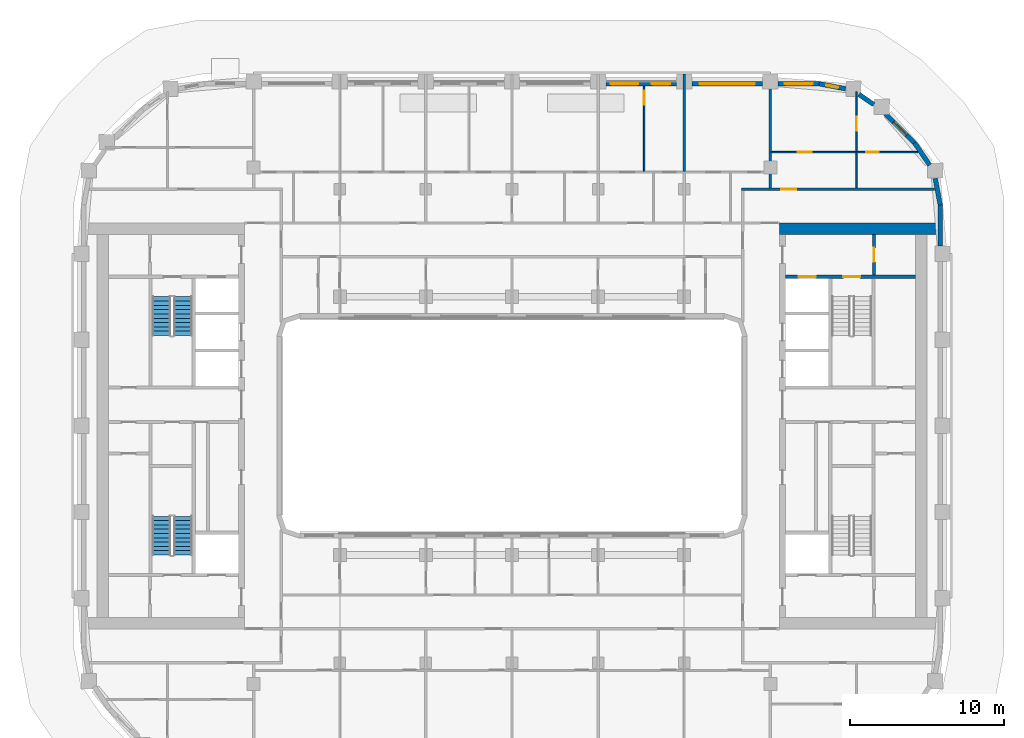
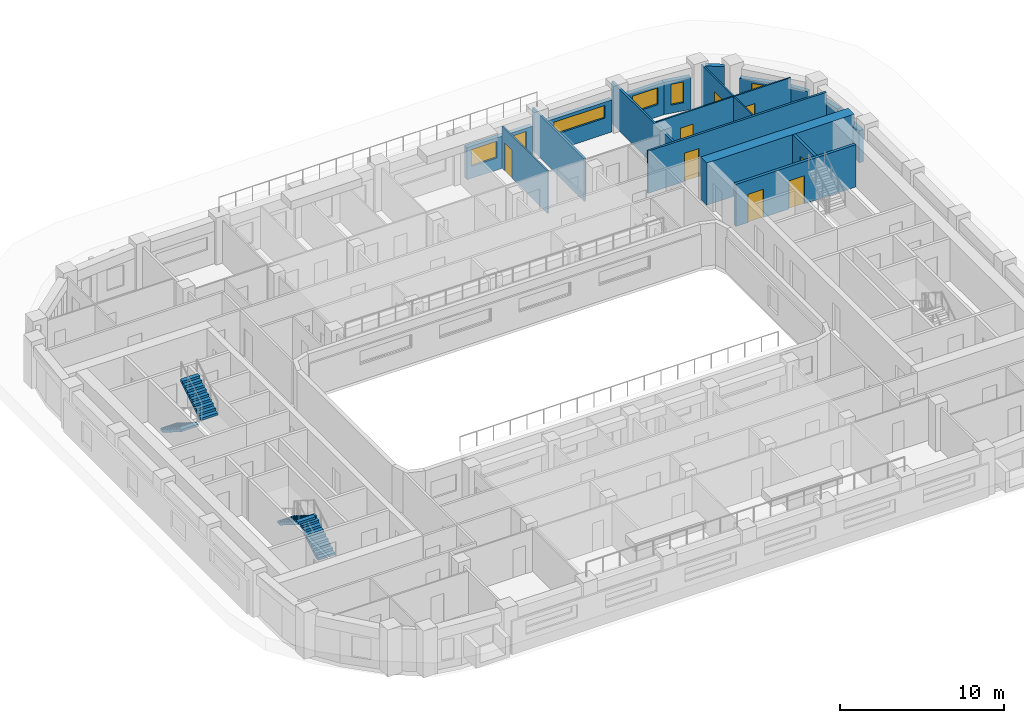
# One storey, part 9 of 17: 19 walls, 8 doors, 6 windows, 4 stair flights, 14 openings, 2 elements without a shape of their own.
"""IFC4 building model written with IfcOpenShell, lengths in metres."""

from ifc_helpers import new_model, si_unit, direction, frame, frame_2d, origin, place, context, subcontext, project, spatial, polyline, rectangle, outline, extrude, material, layer, layer_set, type_object, element, fill, aggregate, save


model = new_model("IFC4")

# Units and contexts
model_context = context("Model", 3, precision=1e-05, world=origin(), true_north=direction((0.0, 1.0)))
body_context = subcontext(model_context, "Body", "Model", "MODEL_VIEW")
ifc_project = project(units=[si_unit("LENGTHUNIT", "METRE"), si_unit("AREAUNIT", "SQUARE_METRE"), si_unit("VOLUMEUNIT", "CUBIC_METRE"), si_unit("PLANEANGLEUNIT", "RADIAN"), si_unit("MASSUNIT", "GRAM", prefix="KILO")], contexts=[model_context])

# Site, building, storey
site_placement = place(None, origin())
site = spatial("IfcSite", under=ifc_project, at=site_placement, CompositionType="ELEMENT")
building_placement = place(site_placement, origin())
building = spatial("IfcBuilding", under=site, at=building_placement, Name="Kiln Ring Residences", CompositionType="ELEMENT")
storey_placement = place(building_placement, frame((0.0, 0.0, 174.60009765625)))
storey = spatial("IfcBuildingStorey", under=building, at=storey_placement, Name="L45", CompositionType="ELEMENT", Elevation=174.60009765625)

# Wall, opening, door
ifc_material_1 = material(Name="Gypsum board on steel studs", Category="steel")
ifc_layer_1 = layer(ifc_material_1, 0.199951171875)
ifc_layer_set_1 = layer_set([ifc_layer_1], Name="CORE-PARTITION-200")
wall_type_1 = type_object("IfcWallType", Name="CORE-PARTITION-200", PredefinedType="PARTITIONING", material=ifc_layer_set_1)
wall_1_placement = place(storey_placement, frame((23.550048828125, 9.800048828125, 0.0), z_axis=(0.0, 0.0, 1.0), x_axis=(0.0, 1.0, 0.0)))
wall_1 = element("IfcWall", 1, at=wall_1_placement, inside=storey, type_object=wall_type_1, Name="Core partition east L45 4", PredefinedType="PARTITIONING", context=body_context, shape_type="SweptSolid", body=[
    extrude(rectangle(XDim=2.64990234375, YDim=0.199951171875, at=frame_2d((1.324951171875, 0.0))), origin(), (0.0, 0.0, 1.0), 3.14990234375),
])
opening_1_placement = place(wall_1_placement, frame((0.875, 0.0, 0.0)))
opening_1 = element("IfcOpeningElement", 2, at=opening_1_placement, cuts=wall_1, Name="Opening L45-CE09", PredefinedType="OPENING", context=body_context, shape_type="SweptSolid", body=[
    extrude(rectangle(XDim=0.89990234375, YDim=2.10009765625, at=frame_2d((0.449951171875, 1.050048828125))), frame((0.0, 0.10986328125, 0.0), z_axis=(0.0, -1.0, 0.0), x_axis=(1.0, 0.0, 0.0)), (0.0, 0.0, 1.0), 0.219970703125),
])
ifc_material_2 = material(Name="Steel door leaf", Category="steel")
door_type_1 = type_object("IfcDoorType", Name="CORE-DOOR-ROOM", OperationType="SINGLE_SWING_LEFT", PredefinedType="DOOR", material=ifc_material_2)
door_1_placement = place(opening_1_placement, origin())
door_1 = element("IfcDoor", 3, at=door_1_placement, inside=storey, type_object=door_type_1, Name="Fire riser room L45-CE09", OperationType="SINGLE_SWING_RIGHT", OverallHeight=2.10009765625, OverallWidth=0.89990234375, PredefinedType="DOOR", context=body_context, shape_type="SweptSolid", body=[
    extrude(rectangle(XDim=0.89990234375, YDim=2.10009765625, at=frame_2d((0.449951171875, 1.050048828125))), frame((0.0, 0.02490234375, 0.0), z_axis=(0.0, -1.0, 0.0), x_axis=(1.0, 0.0, 0.0)), (0.0, 0.0, 1.0), 0.050048828125),
])
fill(opening_1, door_1)

# Wall, openings, doors
ifc_material_3 = material(Name="Concrete C40/50", Category="concrete")
ifc_layer_2 = layer(ifc_material_3, 0.199951171875)
ifc_layer_set_2 = layer_set([ifc_layer_2], Name="CORE-WALL-RC200")
wall_type_2 = type_object("IfcWallType", Name="CORE-WALL-RC200", PredefinedType="SHEAR", material=ifc_layer_set_2)
wall_2_placement = place(storey_placement, frame((17.800048828125, 9.699951171875, 0.0), z_axis=(0.0, 0.0, 1.0), x_axis=(1.0, 0.0, 0.0)))
wall_2 = element("IfcWall", 4, at=wall_2_placement, inside=storey, type_object=wall_type_2, Name="Core wall east L45 9", PredefinedType="SHEAR", context=body_context, shape_type="SweptSolid", body=[
    extrude(rectangle(XDim=8.449951171875, YDim=0.199951171875, at=frame_2d((4.22509765625, 0.0))), origin(), (0.0, 0.0, 1.0), 3.14990234375),
])
opening_2_placement = place(wall_2_placement, frame((0.85009765625, 0.0, 0.0)))
opening_2 = element("IfcOpeningElement", 5, at=opening_2_placement, cuts=wall_2, Name="Opening L45-CE06", PredefinedType="OPENING", context=body_context, shape_type="SweptSolid", body=[
    extrude(rectangle(XDim=1.10009765625, YDim=2.10009765625, at=frame_2d((0.550048828125, 1.050048828125))), frame((0.0, 0.10986328125, 0.0), z_axis=(0.0, -1.0, 0.0), x_axis=(1.0, 0.0, 0.0)), (0.0, 0.0, 1.0), 0.219970703125),
])
opening_3_placement = place(wall_2_placement, frame((3.75, 0.0, 0.0)))
opening_3 = element("IfcOpeningElement", 6, at=opening_3_placement, cuts=wall_2, Name="Opening L45-CE11", PredefinedType="OPENING", context=body_context, shape_type="SweptSolid", body=[
    extrude(rectangle(XDim=1.10009765625, YDim=2.10009765625, at=frame_2d((0.550048828125, 1.050048828125))), frame((0.0, 0.10986328125, 0.0), z_axis=(0.0, -1.0, 0.0), x_axis=(1.0, 0.0, 0.0)), (0.0, 0.0, 1.0), 0.219970703125),
])
ifc_material_4 = material(Name="Steel door leaf", Category="steel")
door_type_2 = type_object("IfcDoorType", Name="CORE-DOOR-LD", OperationType="DOUBLE_DOOR_SLIDING", PredefinedType="DOOR", material=ifc_material_4)
door_2_placement = place(opening_2_placement, origin())
door_2 = element("IfcDoor", 7, at=door_2_placement, inside=storey, type_object=door_type_2, Name="LD E-FF L45-CE06", OperationType="DOUBLE_DOOR_SLIDING", OverallHeight=2.10009765625, OverallWidth=1.10009765625, PredefinedType="DOOR", context=body_context, shape_type="SweptSolid", body=[
    extrude(rectangle(XDim=1.10009765625, YDim=2.10009765625, at=frame_2d((0.550048828125, 1.050048828125))), frame((0.0, 0.02490234375, 0.0), z_axis=(0.0, -1.0, 0.0), x_axis=(1.0, 0.0, 0.0)), (0.0, 0.0, 1.0), 0.050048828125),
])
fill(opening_2, door_2)
ifc_material_5 = material(Name="Steel door leaf", Category="steel")
door_type_3 = type_object("IfcDoorType", Name="CORE-DOOR-STAIR", OperationType="SINGLE_SWING_LEFT", PredefinedType="DOOR", material=ifc_material_5)
door_3_placement = place(opening_3_placement, origin())
door_3 = element("IfcDoor", 8, at=door_3_placement, inside=storey, type_object=door_type_3, Name="Stair E-STN L45-CE11", OperationType="SINGLE_SWING_RIGHT", OverallHeight=2.10009765625, OverallWidth=1.10009765625, PredefinedType="DOOR", context=body_context, shape_type="SweptSolid", body=[
    extrude(rectangle(XDim=1.10009765625, YDim=2.10009765625, at=frame_2d((0.550048828125, 1.050048828125))), frame((0.0, 0.02490234375, 0.0), z_axis=(0.0, -1.0, 0.0), x_axis=(1.0, 0.0, 0.0)), (0.0, 0.0, 1.0), 0.050048828125),
])
fill(opening_3, door_3)

# Walls
ifc_material_6 = material(Name="Concrete C60/75", Category="concrete")
ifc_layer_3 = layer(ifc_material_6, 0.75)
ifc_layer_set_3 = layer_set([ifc_layer_3], Name="CORE-WALL-RC750")
wall_type_3 = type_object("IfcWallType", Name="CORE-WALL-RC750", PredefinedType="SHEAR", material=ifc_layer_set_3)
wall_3_placement = place(storey_placement, frame((17.39990234375, 12.824951171875, 0.0), z_axis=(0.0, 0.0, 1.0), x_axis=(1.0, 0.0, 0.0)))
element("IfcWall", 9, at=wall_3_placement, inside=storey, type_object=wall_type_3, Name="Core wall east L45 4", PredefinedType="SHEAR", context=body_context, shape_type="SweptSolid", body=[
    extrude(rectangle(XDim=10.400146484375, YDim=0.75, at=frame_2d((5.2001953125, 0.0))), origin(), (0.0, 0.0, 1.0), 3.14990234375),
])
ifc_material_7 = material(Name="Brick masonry, dark clay brick", Category="masonry")
ifc_layer_4 = layer(ifc_material_7, 0.300048828125)
ifc_layer_set_4 = layer_set([ifc_layer_4], Name="EW-300 BRICK WALL")
wall_type_4 = type_object("IfcWallType", Name="EW-300 BRICK WALL", PredefinedType="SOLIDWALL", material=ifc_layer_set_4)
wall_4_placement = place(storey_placement, frame((27.85009765625, 11.699951171875, 0.0), z_axis=(0.0, 0.0, 1.0), x_axis=(0.0, 1.0, 0.0)))
element("IfcWall", 10, at=wall_4_placement, inside=storey, type_object=wall_type_4, Name="Facade wall L45 22", PredefinedType="SOLIDWALL", context=body_context, shape_type="SweptSolid", body=[
    extrude(rectangle(XDim=2.699951171875, YDim=0.300048828125, at=frame_2d((1.35009765625, 0.0))), origin(), (0.0, 0.0, 1.0), 2.39990234375),
])
for number, where, z_axis, x_axis, name in (
    (11, (27.8525390625, 14.371826171875, 0.0), (0.0, 0.0, 1.0), (-0.187259034321, 0.982310569049, 0.0), "Facade wall L45 23"),
    (12, (27.166015625, 16.96044921875, 0.0), (0.0, 0.0, 1.0), (-0.562089443061, 0.82707645233, 0.0), "Facade wall L45 24"),
):
    element("IfcWall", number, at=place(storey_placement, frame(where, z_axis=z_axis, x_axis=x_axis)), inside=storey, type_object=wall_type_4, Name=name, PredefinedType="SOLIDWALL", context=body_context, shape_type="SweptSolid", body=[
        extrude(rectangle(XDim=1.756103515625, YDim=0.300048828125, at=frame_2d((0.8779296875, 0.0))), origin(), (0.0, 0.0, 1.0), 2.39990234375),
    ])

# Wall, opening, window
wall_5_placement = place(storey_placement, frame((26.19677734375, 18.390869140625, 0.0), z_axis=(0.0, 0.0, 1.0), x_axis=(-0.707061571201, 0.707151988282, 0.0)))
wall_5 = element("IfcWall", 13, at=wall_5_placement, inside=storey, type_object=wall_type_4, Name="Facade wall L45 25", PredefinedType="SOLIDWALL", context=body_context, shape_type="SweptSolid", body=[
    extrude(rectangle(XDim=2.7001953125, YDim=0.300048828125, at=frame_2d((1.35009765625, 0.0))), origin(), (0.0, 0.0, 1.0), 2.39990234375),
])
opening_4_placement = place(wall_5_placement, frame((0.75, 0.0, 0.60009765625)))
opening_4 = element("IfcOpeningElement", 14, at=opening_4_placement, cuts=wall_5, Name="Opening W1", PredefinedType="OPENING", context=body_context, shape_type="SweptSolid", body=[
    extrude(rectangle(XDim=1.199951171875, YDim=1.550048828125, at=frame_2d((0.60009765625, 0.77490234375))), frame((0.0, 0.159912109375, 0.0), z_axis=(0.0, -1.0, 0.0), x_axis=(1.0, 0.0, 0.0)), (0.0, 0.0, 1.0), 0.320068359375),
])
ifc_material_8 = material(Name="Aluminium frame with double glazing", Category="aluminium")
window_type_1 = type_object("IfcWindowType", Name="WINDOW 1200 x 1550", PartitioningType="SINGLE_PANEL", PredefinedType="WINDOW", material=ifc_material_8)
window_1_placement = place(opening_4_placement, origin())
window_1 = element("IfcWindow", 15, at=window_1_placement, inside=storey, type_object=window_type_1, Name="Window L45 14", OverallHeight=1.550048828125, OverallWidth=1.199951171875, PartitioningType="SINGLE_PANEL", PredefinedType="WINDOW", context=body_context, shape_type="SweptSolid", body=[
    extrude(rectangle(XDim=1.199951171875, YDim=1.550048828125, at=frame_2d((0.60009765625, 0.77490234375))), frame((0.0, 0.030029296875, 0.0), z_axis=(0.0, -1.0, 0.0), x_axis=(1.0, 0.0, 0.0)), (0.0, 0.0, 1.0), 0.06005859375),
])
fill(opening_4, window_1)

# Wall
wall_6_placement = place(storey_placement, frame((23.533935546875, 20.904296875, 0.0), z_axis=(0.0, 0.0, 1.0), x_axis=(-0.827103906596, 0.56204904385, 0.0)))
element("IfcWall", 16, at=wall_6_placement, inside=storey, type_object=wall_type_4, Name="Facade wall L45 26", PredefinedType="SOLIDWALL", context=body_context, shape_type="SweptSolid", body=[
    extrude(rectangle(XDim=1.17724609375, YDim=0.300048828125, at=frame_2d((0.588623046875, 0.0))), origin(), (0.0, 0.0, 1.0), 3.14990234375),
])

# Wall, opening, window
wall_7_placement = place(storey_placement, frame((21.697021484375, 21.923583984375, 0.0), z_axis=(0.0, 0.0, 1.0), x_axis=(-0.982284988433, 0.187393173565, 0.0)))
wall_7 = element("IfcWall", 17, at=wall_7_placement, inside=storey, type_object=wall_type_4, Name="Facade wall L45 27", PredefinedType="SOLIDWALL", context=body_context, shape_type="SweptSolid", body=[
    extrude(rectangle(XDim=1.756103515625, YDim=0.300048828125, at=frame_2d((0.8779296875, 0.0))), origin(), (0.0, 0.0, 1.0), 2.39990234375),
])
opening_5_placement = place(wall_7_placement, frame((0.47802734375, 0.0, 0.60009765625)))
opening_5 = element("IfcOpeningElement", 18, at=opening_5_placement, cuts=wall_7, Name="Opening W5", PredefinedType="OPENING", context=body_context, shape_type="SweptSolid", body=[
    extrude(rectangle(XDim=0.800048828125, YDim=1.550048828125, at=frame_2d((0.39990234375, 0.77490234375))), frame((0.0, 0.159912109375, 0.0), z_axis=(0.0, -1.0, 0.0), x_axis=(1.0, 0.0, 0.0)), (0.0, 0.0, 1.0), 0.320068359375),
])
ifc_material_9 = material(Name="Aluminium frame with double glazing", Category="aluminium")
window_type_2 = type_object("IfcWindowType", Name="WINDOW 800 x 1550", PartitioningType="SINGLE_PANEL", PredefinedType="WINDOW", material=ifc_material_9)
window_2_placement = place(opening_5_placement, origin())
window_2 = element("IfcWindow", 19, at=window_2_placement, inside=storey, type_object=window_type_2, Name="Window L45 15", OverallHeight=1.550048828125, OverallWidth=0.800048828125, PartitioningType="SINGLE_PANEL", PredefinedType="WINDOW", context=body_context, shape_type="SweptSolid", body=[
    extrude(rectangle(XDim=0.800048828125, YDim=1.550048828125, at=frame_2d((0.39990234375, 0.77490234375))), frame((0.0, 0.030029296875, 0.0), z_axis=(0.0, -1.0, 0.0), x_axis=(1.0, 0.0, 0.0)), (0.0, 0.0, 1.0), 0.06005859375),
])
fill(opening_5, window_2)

wall_8_placement = place(storey_placement, frame((20.0, 22.25, 0.0), z_axis=(0.0, 0.0, 1.0), x_axis=(-1.0, 0.0, 0.0)))
wall_8 = element("IfcWall", 20, at=wall_8_placement, inside=storey, type_object=wall_type_4, Name="Facade wall L45 28", PredefinedType="SOLIDWALL", context=body_context, shape_type="SweptSolid", body=[
    extrude(rectangle(XDim=2.699951171875, YDim=0.300048828125, at=frame_2d((1.35009765625, 0.0))), origin(), (0.0, 0.0, 1.0), 2.39990234375),
])
opening_6_placement = place(wall_8_placement, frame((0.449951171875, 0.0, 0.89990234375)))
opening_6 = element("IfcOpeningElement", 21, at=opening_6_placement, cuts=wall_8, Name="Opening W2", PredefinedType="OPENING", context=body_context, shape_type="SweptSolid", body=[
    extrude(rectangle(XDim=1.800048828125, YDim=1.25, at=frame_2d((0.89990234375, 0.625))), frame((0.0, 0.159912109375, 0.0), z_axis=(0.0, -1.0, 0.0), x_axis=(1.0, 0.0, 0.0)), (0.0, 0.0, 1.0), 0.320068359375),
])
ifc_material_10 = material(Name="Aluminium frame with double glazing", Category="aluminium")
window_type_3 = type_object("IfcWindowType", Name="WINDOW 1800 x 1250", PartitioningType="SINGLE_PANEL", PredefinedType="WINDOW", material=ifc_material_10)
window_3_placement = place(opening_6_placement, origin())
window_3 = element("IfcWindow", 22, at=window_3_placement, inside=storey, type_object=window_type_3, Name="Window L45 16", OverallHeight=1.25, OverallWidth=1.800048828125, PartitioningType="SINGLE_PANEL", PredefinedType="WINDOW", context=body_context, shape_type="SweptSolid", body=[
    extrude(rectangle(XDim=1.800048828125, YDim=1.25, at=frame_2d((0.89990234375, 0.625))), frame((0.0, 0.030029296875, 0.0), z_axis=(0.0, -1.0, 0.0), x_axis=(1.0, 0.0, 0.0)), (0.0, 0.0, 1.0), 0.06005859375),
])
fill(opening_6, window_3)

wall_9_placement = place(storey_placement, frame((16.300048828125, 22.25, 0.0), z_axis=(0.0, 0.0, 1.0), x_axis=(-1.0, 0.0, 0.0)))
wall_9 = element("IfcWall", 23, at=wall_9_placement, inside=storey, type_object=wall_type_4, Name="Facade wall L45 29", PredefinedType="SOLIDWALL", context=body_context, shape_type="SweptSolid", body=[
    extrude(rectangle(XDim=4.60009765625, YDim=0.300048828125, at=frame_2d((2.300048828125, 0.0))), origin(), (0.0, 0.0, 1.0), 2.39990234375),
])
opening_7_placement = place(wall_9_placement, frame((0.5, 0.0, 1.199951171875)))
opening_7 = element("IfcOpeningElement", 24, at=opening_7_placement, cuts=wall_9, Name="Opening W4", PredefinedType="OPENING", context=body_context, shape_type="SweptSolid", body=[
    extrude(rectangle(XDim=3.60009765625, YDim=0.949951171875, at=frame_2d((1.800048828125, 0.47509765625))), frame((0.0, 0.159912109375, 0.0), z_axis=(0.0, -1.0, 0.0), x_axis=(1.0, 0.0, 0.0)), (0.0, 0.0, 1.0), 0.320068359375),
])
ifc_material_11 = material(Name="Aluminium frame with double glazing", Category="aluminium")
window_type_4 = type_object("IfcWindowType", Name="WINDOW 3600 x 950", PartitioningType="SINGLE_PANEL", PredefinedType="WINDOW", material=ifc_material_11)
window_4_placement = place(opening_7_placement, origin())
window_4 = element("IfcWindow", 25, at=window_4_placement, inside=storey, type_object=window_type_4, Name="Window L45 17", OverallHeight=0.949951171875, OverallWidth=3.60009765625, PartitioningType="SINGLE_PANEL", PredefinedType="WINDOW", context=body_context, shape_type="SweptSolid", body=[
    extrude(rectangle(XDim=3.60009765625, YDim=0.949951171875, at=frame_2d((1.800048828125, 0.47509765625))), frame((0.0, 0.030029296875, 0.0), z_axis=(0.0, -1.0, 0.0), x_axis=(1.0, 0.0, 0.0)), (0.0, 0.0, 1.0), 0.06005859375),
])
fill(opening_7, window_4)

# Wall, openings, windows
wall_10_placement = place(storey_placement, frame((10.699951171875, 22.25, 0.0), z_axis=(0.0, 0.0, 1.0), x_axis=(-1.0, 0.0, 0.0)))
wall_10 = element("IfcWall", 26, at=wall_10_placement, inside=storey, type_object=wall_type_4, Name="Facade wall L45 30", PredefinedType="SOLIDWALL", context=body_context, shape_type="SweptSolid", body=[
    extrude(rectangle(XDim=4.599853515625, YDim=0.300048828125, at=frame_2d((2.2998046875, 0.0))), origin(), (0.0, 0.0, 1.0), 2.39990234375),
])
opening_8_placement = place(wall_10_placement, frame((0.41259765625, 0.0, 0.60009765625)))
opening_8 = element("IfcOpeningElement", 27, at=opening_8_placement, cuts=wall_10, Name="Opening W1", PredefinedType="OPENING", context=body_context, shape_type="SweptSolid", body=[
    extrude(rectangle(XDim=1.199951171875, YDim=1.550048828125, at=frame_2d((0.60009765625, 0.77490234375))), frame((0.0, 0.159912109375, 0.0), z_axis=(0.0, -1.0, 0.0), x_axis=(1.0, 0.0, 0.0)), (0.0, 0.0, 1.0), 0.320068359375),
])
opening_9_placement = place(wall_10_placement, frame((2.487548828125, 0.0, 0.89990234375)))
opening_9 = element("IfcOpeningElement", 28, at=opening_9_placement, cuts=wall_10, Name="Opening W2", PredefinedType="OPENING", context=body_context, shape_type="SweptSolid", body=[
    extrude(rectangle(XDim=1.800048828125, YDim=1.25, at=frame_2d((0.89990234375, 0.625))), frame((0.0, 0.159912109375, 0.0), z_axis=(0.0, -1.0, 0.0), x_axis=(1.0, 0.0, 0.0)), (0.0, 0.0, 1.0), 0.320068359375),
])
window_5_placement = place(opening_8_placement, origin())
window_5 = element("IfcWindow", 29, at=window_5_placement, inside=storey, type_object=window_type_1, Name="Window L45 18", OverallHeight=1.550048828125, OverallWidth=1.199951171875, PartitioningType="SINGLE_PANEL", PredefinedType="WINDOW", context=body_context, shape_type="SweptSolid", body=[
    extrude(rectangle(XDim=1.199951171875, YDim=1.550048828125, at=frame_2d((0.60009765625, 0.77490234375))), frame((0.0, 0.030029296875, 0.0), z_axis=(0.0, -1.0, 0.0), x_axis=(1.0, 0.0, 0.0)), (0.0, 0.0, 1.0), 0.06005859375),
])
fill(opening_8, window_5)
window_6_placement = place(opening_9_placement, origin())
window_6 = element("IfcWindow", 30, at=window_6_placement, inside=storey, type_object=window_type_3, Name="Window L45 19", OverallHeight=1.25, OverallWidth=1.800048828125, PartitioningType="SINGLE_PANEL", PredefinedType="WINDOW", context=body_context, shape_type="SweptSolid", body=[
    extrude(rectangle(XDim=1.800048828125, YDim=1.25, at=frame_2d((0.89990234375, 0.625))), frame((0.0, 0.030029296875, 0.0), z_axis=(0.0, -1.0, 0.0), x_axis=(1.0, 0.0, 0.0)), (0.0, 0.0, 1.0), 0.06005859375),
])
fill(opening_9, window_6)

# Wall, openings, doors
ifc_material_12 = material(Name="Gypsum board on steel studs", Category="steel")
ifc_layer_5 = layer(ifc_material_12, 0.10009765625)
ifc_layer_set_5 = layer_set([ifc_layer_5], Name="PARTITION-100")
wall_type_5 = type_object("IfcWallType", Name="PARTITION-100", PredefinedType="PARTITIONING", material=ifc_layer_set_5)
wall_11_placement = place(storey_placement, frame((16.875, 17.800048828125, 0.0), z_axis=(0.0, 0.0, 1.0), x_axis=(1.0, 0.0, 0.0)))
wall_11 = element("IfcWall", 31, at=wall_11_placement, inside=storey, type_object=wall_type_5, Name="Partition 012", PredefinedType="PARTITIONING", context=body_context, shape_type="SweptSolid", body=[
    extrude(rectangle(XDim=9.51904296875, YDim=0.10009765625, at=frame_2d((4.759521484375, 0.0))), origin(), (0.0, 0.0, 1.0), 3.14990234375),
])
opening_10_placement = place(wall_11_placement, frame((6.175048828125, 0.0, 0.0)))
opening_10 = element("IfcOpeningElement", 32, at=opening_10_placement, cuts=wall_11, Name="Opening L45-D037", PredefinedType="OPENING", context=body_context, shape_type="SweptSolid", body=[
    extrude(rectangle(XDim=0.800048828125, YDim=2.10009765625, at=frame_2d((0.39990234375, 1.050048828125))), frame((0.0, 0.06005859375, 0.0), z_axis=(0.0, -1.0, 0.0), x_axis=(1.0, 0.0, 0.0)), (0.0, 0.0, 1.0), 0.1201171875),
])
opening_11_placement = place(wall_11_placement, frame((1.72509765625, 0.0, 0.0)))
opening_11 = element("IfcOpeningElement", 33, at=opening_11_placement, cuts=wall_11, Name="Opening L45-D038", PredefinedType="OPENING", context=body_context, shape_type="SweptSolid", body=[
    extrude(rectangle(XDim=0.89990234375, YDim=2.10009765625, at=frame_2d((0.449951171875, 1.050048828125))), frame((0.0, 0.06005859375, 0.0), z_axis=(0.0, -1.0, 0.0), x_axis=(1.0, 0.0, 0.0)), (0.0, 0.0, 1.0), 0.1201171875),
])
ifc_material_13 = material(Name="Timber door leaf", Category="wood")
door_type_4 = type_object("IfcDoorType", Name="FLAT-DOOR-800-PL", OperationType="SINGLE_SWING_LEFT", PredefinedType="DOOR", material=ifc_material_13)
door_4_placement = place(opening_10_placement, origin())
door_4 = element("IfcDoor", 34, at=door_4_placement, inside=storey, type_object=door_type_4, Name="Door L45-D037", OperationType="SINGLE_SWING_LEFT", OverallHeight=2.10009765625, OverallWidth=0.800048828125, PredefinedType="DOOR", context=body_context, shape_type="SweptSolid", body=[
    extrude(rectangle(XDim=0.800048828125, YDim=2.10009765625, at=frame_2d((0.39990234375, 1.050048828125))), frame((0.0, 0.02490234375, 0.0), z_axis=(0.0, -1.0, 0.0), x_axis=(1.0, 0.0, 0.0)), (0.0, 0.0, 1.0), 0.050048828125),
])
fill(opening_10, door_4)
ifc_material_14 = material(Name="Timber door leaf", Category="wood")
door_type_5 = type_object("IfcDoorType", Name="FLAT-DOOR-900-PL", OperationType="SINGLE_SWING_LEFT", PredefinedType="DOOR", material=ifc_material_14)
door_5_placement = place(opening_11_placement, origin())
door_5 = element("IfcDoor", 35, at=door_5_placement, inside=storey, type_object=door_type_5, Name="Door L45-D038", OperationType="SINGLE_SWING_RIGHT", OverallHeight=2.10009765625, OverallWidth=0.89990234375, PredefinedType="DOOR", context=body_context, shape_type="SweptSolid", body=[
    extrude(rectangle(XDim=0.89990234375, YDim=2.10009765625, at=frame_2d((0.449951171875, 1.050048828125))), frame((0.0, 0.02490234375, 0.0), z_axis=(0.0, -1.0, 0.0), x_axis=(1.0, 0.0, 0.0)), (0.0, 0.0, 1.0), 0.050048828125),
])
fill(opening_11, door_5)

# Wall, opening, door
wall_12_placement = place(storey_placement, frame((8.60009765625, 16.550048828125, 0.0), z_axis=(0.0, 0.0, 1.0), x_axis=(0.0, 1.0, 0.0)))
wall_12 = element("IfcWall", 36, at=wall_12_placement, inside=storey, type_object=wall_type_5, Name="Partition 055", PredefinedType="PARTITIONING", context=body_context, shape_type="SweptSolid", body=[
    extrude(rectangle(XDim=5.530029296875, YDim=0.10009765625, at=frame_2d((2.76513671875, 0.0))), origin(), (0.0, 0.0, 1.0), 3.14990234375),
])
opening_12_placement = place(wall_12_placement, frame((4.35009765625, 0.0, 0.0)))
opening_12 = element("IfcOpeningElement", 37, at=opening_12_placement, cuts=wall_12, Name="Opening L45-D032", PredefinedType="OPENING", context=body_context, shape_type="SweptSolid", body=[
    extrude(rectangle(XDim=0.89990234375, YDim=2.10009765625, at=frame_2d((0.449951171875, 1.050048828125))), frame((0.0, 0.06005859375, 0.0), z_axis=(0.0, -1.0, 0.0), x_axis=(1.0, 0.0, 0.0)), (0.0, 0.0, 1.0), 0.1201171875),
])
door_6_placement = place(opening_12_placement, origin())
door_6 = element("IfcDoor", 38, at=door_6_placement, inside=storey, type_object=door_type_5, Name="Door L45-D032", OperationType="SINGLE_SWING_RIGHT", OverallHeight=2.10009765625, OverallWidth=0.89990234375, PredefinedType="DOOR", context=body_context, shape_type="SweptSolid", body=[
    extrude(rectangle(XDim=0.89990234375, YDim=2.10009765625, at=frame_2d((0.449951171875, 1.050048828125))), frame((0.0, 0.02490234375, 0.0), z_axis=(0.0, -1.0, 0.0), x_axis=(1.0, 0.0, 0.0)), (0.0, 0.0, 1.0), 0.050048828125),
])
fill(opening_12, door_6)

# Wall
wall_13_placement = place(storey_placement, frame((22.39990234375, 15.47509765625, 0.0), z_axis=(0.0, 0.0, 1.0), x_axis=(0.0, 1.0, 0.0)))
element("IfcWall", 39, at=wall_13_placement, inside=storey, type_object=wall_type_5, Name="Partition 073", PredefinedType="PARTITIONING", context=body_context, shape_type="SweptSolid", body=[
    extrude(rectangle(XDim=2.27490234375, YDim=0.10009765625, at=frame_2d((1.137451171875, 0.0))), origin(), (0.0, 0.0, 1.0), 3.14990234375),
])

# Wall, opening, door
wall_14_placement = place(storey_placement, frame((22.39990234375, 17.85009765625, 0.0), z_axis=(0.0, 0.0, 1.0), x_axis=(0.0, 1.0, 0.0)))
wall_14 = element("IfcWall", 40, at=wall_14_placement, inside=storey, type_object=wall_type_5, Name="Partition 074", PredefinedType="PARTITIONING", context=body_context, shape_type="SweptSolid", body=[
    extrude(rectangle(XDim=3.869873046875, YDim=0.10009765625, at=frame_2d((1.93505859375, 0.0))), origin(), (0.0, 0.0, 1.0), 3.14990234375),
])
opening_13_placement = place(wall_14_placement, frame((1.35009765625, 0.0, 0.0)))
opening_13 = element("IfcOpeningElement", 41, at=opening_13_placement, cuts=wall_14, Name="Opening L45-D039", PredefinedType="OPENING", context=body_context, shape_type="SweptSolid", body=[
    extrude(rectangle(XDim=0.89990234375, YDim=2.10009765625, at=frame_2d((0.449951171875, 1.050048828125))), frame((0.0, 0.06005859375, 0.0), z_axis=(0.0, -1.0, 0.0), x_axis=(1.0, 0.0, 0.0)), (0.0, 0.0, 1.0), 0.1201171875),
])
door_7_placement = place(opening_13_placement, origin())
door_7 = element("IfcDoor", 42, at=door_7_placement, inside=storey, type_object=door_type_5, Name="Door L45-D039", OperationType="SINGLE_SWING_LEFT", OverallHeight=2.10009765625, OverallWidth=0.89990234375, PredefinedType="DOOR", context=body_context, shape_type="SweptSolid", body=[
    extrude(rectangle(XDim=0.89990234375, YDim=2.10009765625, at=frame_2d((0.449951171875, 1.050048828125))), frame((0.0, 0.02490234375, 0.0), z_axis=(0.0, -1.0, 0.0), x_axis=(1.0, 0.0, 0.0)), (0.0, 0.0, 1.0), 0.050048828125),
])
fill(opening_13, door_7)

ifc_material_15 = material(Name="Brick masonry partition", Category="masonry")
ifc_layer_6 = layer(ifc_material_15, 0.14990234375)
ifc_layer_set_6 = layer_set([ifc_layer_6], Name="PARTITION-150-ei60")
wall_type_6 = type_object("IfcWallType", Name="PARTITION-150-ei60", PredefinedType="PARTITIONING", material=ifc_layer_set_6)
wall_15_placement = place(storey_placement, frame((14.925048828125, 15.39990234375, 0.0), z_axis=(0.0, 0.0, 1.0), x_axis=(1.0, 0.0, 0.0)))
wall_15 = element("IfcWall", 43, at=wall_15_placement, inside=storey, type_object=wall_type_6, Name="Partition 010", PredefinedType="PARTITIONING", context=body_context, shape_type="SweptSolid", body=[
    extrude(rectangle(XDim=12.558837890625, YDim=0.14990234375, at=frame_2d((6.279296875, 0.0))), origin(), (0.0, 0.0, 1.0), 3.14990234375),
])
opening_14_placement = place(wall_15_placement, frame((2.574951171875, 0.0, 0.0)))
opening_14 = element("IfcOpeningElement", 44, at=opening_14_placement, cuts=wall_15, Name="Opening L45-D036", PredefinedType="OPENING", context=body_context, shape_type="SweptSolid", body=[
    extrude(rectangle(XDim=1.0, YDim=2.10009765625, at=frame_2d((0.5, 1.050048828125))), frame((0.0, 0.0849609375, 0.0), z_axis=(0.0, -1.0, 0.0), x_axis=(1.0, 0.0, 0.0)), (0.0, 0.0, 1.0), 0.169921875),
])
ifc_material_16 = material(Name="Steel faced fire door leaf", Category="steel")
door_type_6 = type_object("IfcDoorType", Name="FLAT-DOOR-1000-FR", OperationType="SINGLE_SWING_LEFT", PredefinedType="DOOR", material=ifc_material_16)
door_8_placement = place(opening_14_placement, origin())
door_8 = element("IfcDoor", 45, at=door_8_placement, inside=storey, type_object=door_type_6, Name="Door L45-D036", OperationType="SINGLE_SWING_RIGHT", OverallHeight=2.10009765625, OverallWidth=1.0, PredefinedType="DOOR", context=body_context, shape_type="SweptSolid", body=[
    extrude(rectangle(XDim=1.0, YDim=2.10009765625, at=frame_2d((0.5, 1.050048828125))), frame((0.0, 0.02490234375, 0.0), z_axis=(0.0, -1.0, 0.0), x_axis=(1.0, 0.0, 0.0)), (0.0, 0.0, 1.0), 0.050048828125),
])
fill(opening_14, door_8)

# Walls
wall_16_placement = place(storey_placement, frame((11.199951171875, 16.550048828125, 0.0), z_axis=(0.0, 0.0, 1.0), x_axis=(0.0, 1.0, 0.0)))
element("IfcWall", 46, at=wall_16_placement, inside=storey, type_object=wall_type_6, Name="Partition 062", PredefinedType="PARTITIONING", context=body_context, shape_type="SweptSolid", body=[
    extrude(rectangle(XDim=6.329833984375, YDim=0.14990234375, at=frame_2d((3.1650390625, 0.0))), origin(), (0.0, 0.0, 1.0), 3.14990234375),
])
wall_17_placement = place(storey_placement, frame((16.800048828125, 15.47509765625, 0.0), z_axis=(0.0, 0.0, 1.0), x_axis=(0.0, 1.0, 0.0)))
element("IfcWall", 47, at=wall_17_placement, inside=storey, type_object=wall_type_6, Name="Partition 070", PredefinedType="PARTITIONING", context=body_context, shape_type="SweptSolid", body=[
    extrude(rectangle(XDim=7.40478515625, YDim=0.14990234375, at=frame_2d((3.702392578125, 0.0))), origin(), (0.0, 0.0, 1.0), 3.14990234375),
])

# Stair, stair flights
ifc_material_17 = material(Name="Concrete C40/50", Category="concrete")
stair_type = type_object("IfcStairType", Name="CORE-STAIR", PredefinedType="HALF_TURN_STAIR", material=ifc_material_17)
placement = place(storey_placement, origin())
stair_1 = element("IfcStair", 48, at=placement, inside=storey, type_object=stair_type, Name="L45 stair W-STN", PredefinedType="HALF_TURN_STAIR")
ifc_material_18 = material(Name="Concrete C40/50", Category="concrete")
stair_flight_type = type_object("IfcStairFlightType", Name="CORE-STAIR-FLIGHT", PredefinedType="STRAIGHT", material=ifc_material_18)
stair_flight_1_placement = place(storey_placement, frame((-22.800048828125, 8.39990234375, 0.0), z_axis=(0.0, 0.0, 1.0), x_axis=(0.0, -1.0, 0.0)))
stair_flight_1 = element("IfcStairFlight", 49, at=stair_flight_1_placement, type_object=stair_flight_type, Name="W-STN flight 1", NumberOfRisers=10, NumberOfTreads=9, PredefinedType="STRAIGHT", RiserHeight=0.175, TreadLength=0.28, context=body_context, shape_type="SweptSolid", body=[
    extrude(outline(polyline([(0.0, 0.0), (0.0, 0.175048828125), (0.280029296875, 0.175048828125), (0.280029296875, 0.35009765625), (0.56005859375, 0.35009765625), (0.56005859375, 0.52490234375), (0.840087890625, 0.52490234375), (0.840087890625, 0.699951171875), (1.1201171875, 0.699951171875), (1.1201171875, 0.875), (1.39990234375, 0.875), (1.39990234375, 1.050048828125), (1.679931640625, 1.050048828125), (1.679931640625, 1.22509765625), (1.9599609375, 1.22509765625), (1.9599609375, 1.39990234375), (2.239990234375, 1.39990234375), (2.239990234375, 1.574951171875), (2.52001953125, 1.574951171875), (2.52001953125, 1.75), (2.52001953125, 1.398193359375), (0.28271484375, 0.0), (0.0, 0.0)])), frame((0.0, 0.60009765625, 0.0), z_axis=(0.0, -1.0, 0.0), x_axis=(1.0, 0.0, 0.0)), (0.0, 0.0, 1.0), 1.199951171875),
])
stair_flight_2_placement = place(storey_placement, frame((-21.39990234375, 5.8798828125, 1.75), z_axis=(0.0, 0.0, 1.0), x_axis=(0.0, 1.0, 0.0)))
stair_flight_2 = element("IfcStairFlight", 50, at=stair_flight_2_placement, type_object=stair_flight_type, Name="W-STN flight 2", NumberOfRisers=10, NumberOfTreads=9, PredefinedType="STRAIGHT", RiserHeight=0.175, TreadLength=0.28, context=body_context, shape_type="SweptSolid", body=[
    extrude(outline(polyline([(0.0, 0.0), (0.0, 0.175048828125), (0.280029296875, 0.175048828125), (0.280029296875, 0.35009765625), (0.56005859375, 0.35009765625), (0.56005859375, 0.52490234375), (0.840087890625, 0.52490234375), (0.840087890625, 0.699951171875), (1.1201171875, 0.699951171875), (1.1201171875, 0.875), (1.39990234375, 0.875), (1.39990234375, 1.050048828125), (1.679931640625, 1.050048828125), (1.679931640625, 1.22509765625), (1.9599609375, 1.22509765625), (1.9599609375, 1.39990234375), (2.239990234375, 1.39990234375), (2.239990234375, 1.574951171875), (2.52001953125, 1.574951171875), (2.52001953125, 1.75), (2.52001953125, 1.398193359375), (0.28271484375, 0.0), (0.0, 0.0)])), frame((0.0, 0.60009765625, 0.0), z_axis=(0.0, -1.0, 0.0), x_axis=(1.0, 0.0, 0.0)), (0.0, 0.0, 1.0), 1.199951171875),
])
aggregate(stair_1, [stair_flight_1, stair_flight_2])

stair_2 = element("IfcStair", 51, at=placement, inside=storey, type_object=stair_type, Name="L45 stair W-STS", PredefinedType="HALF_TURN_STAIR")
stair_flight_3_placement = place(storey_placement, frame((-21.39990234375, -8.39990234375, 0.0), z_axis=(0.0, 0.0, 1.0), x_axis=(0.0, 1.0, 0.0)))
stair_flight_3 = element("IfcStairFlight", 52, at=stair_flight_3_placement, type_object=stair_flight_type, Name="W-STS flight 1", NumberOfRisers=10, NumberOfTreads=9, PredefinedType="STRAIGHT", RiserHeight=0.175, TreadLength=0.28, context=body_context, shape_type="SweptSolid", body=[
    extrude(outline(polyline([(0.0, 0.0), (0.0, 0.175048828125), (0.280029296875, 0.175048828125), (0.280029296875, 0.35009765625), (0.56005859375, 0.35009765625), (0.56005859375, 0.52490234375), (0.840087890625, 0.52490234375), (0.840087890625, 0.699951171875), (1.1201171875, 0.699951171875), (1.1201171875, 0.875), (1.39990234375, 0.875), (1.39990234375, 1.050048828125), (1.679931640625, 1.050048828125), (1.679931640625, 1.22509765625), (1.9599609375, 1.22509765625), (1.9599609375, 1.39990234375), (2.239990234375, 1.39990234375), (2.239990234375, 1.574951171875), (2.52001953125, 1.574951171875), (2.52001953125, 1.75), (2.52001953125, 1.398193359375), (0.28271484375, 0.0), (0.0, 0.0)])), frame((0.0, 0.60009765625, 0.0), z_axis=(0.0, -1.0, 0.0), x_axis=(1.0, 0.0, 0.0)), (0.0, 0.0, 1.0), 1.199951171875),
])
stair_flight_4_placement = place(storey_placement, frame((-22.800048828125, -5.8798828125, 1.75), z_axis=(0.0, 0.0, 1.0), x_axis=(0.0, -1.0, 0.0)))
stair_flight_4 = element("IfcStairFlight", 53, at=stair_flight_4_placement, type_object=stair_flight_type, Name="W-STS flight 2", NumberOfRisers=10, NumberOfTreads=9, PredefinedType="STRAIGHT", RiserHeight=0.175, TreadLength=0.28, context=body_context, shape_type="SweptSolid", body=[
    extrude(outline(polyline([(0.0, 0.0), (0.0, 0.175048828125), (0.280029296875, 0.175048828125), (0.280029296875, 0.35009765625), (0.56005859375, 0.35009765625), (0.56005859375, 0.52490234375), (0.840087890625, 0.52490234375), (0.840087890625, 0.699951171875), (1.1201171875, 0.699951171875), (1.1201171875, 0.875), (1.39990234375, 0.875), (1.39990234375, 1.050048828125), (1.679931640625, 1.050048828125), (1.679931640625, 1.22509765625), (1.9599609375, 1.22509765625), (1.9599609375, 1.39990234375), (2.239990234375, 1.39990234375), (2.239990234375, 1.574951171875), (2.52001953125, 1.574951171875), (2.52001953125, 1.75), (2.52001953125, 1.398193359375), (0.28271484375, 0.0), (0.0, 0.0)])), frame((0.0, 0.60009765625, 0.0), z_axis=(0.0, -1.0, 0.0), x_axis=(1.0, 0.0, 0.0)), (0.0, 0.0, 1.0), 1.199951171875),
])
aggregate(stair_2, [stair_flight_3, stair_flight_4])

save(model, "model.ifc")
